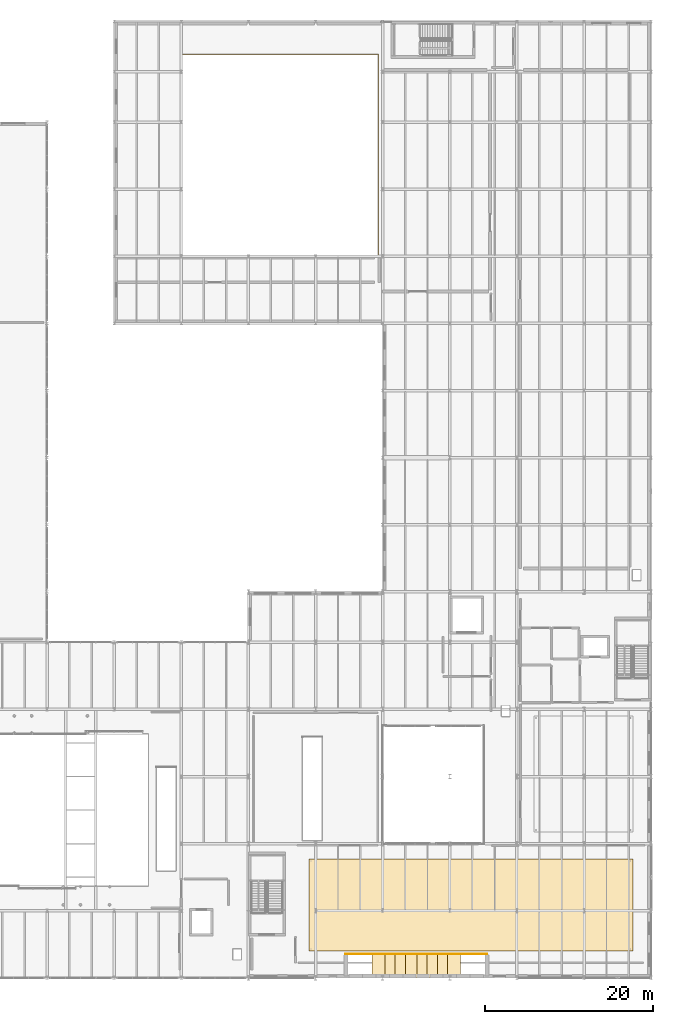
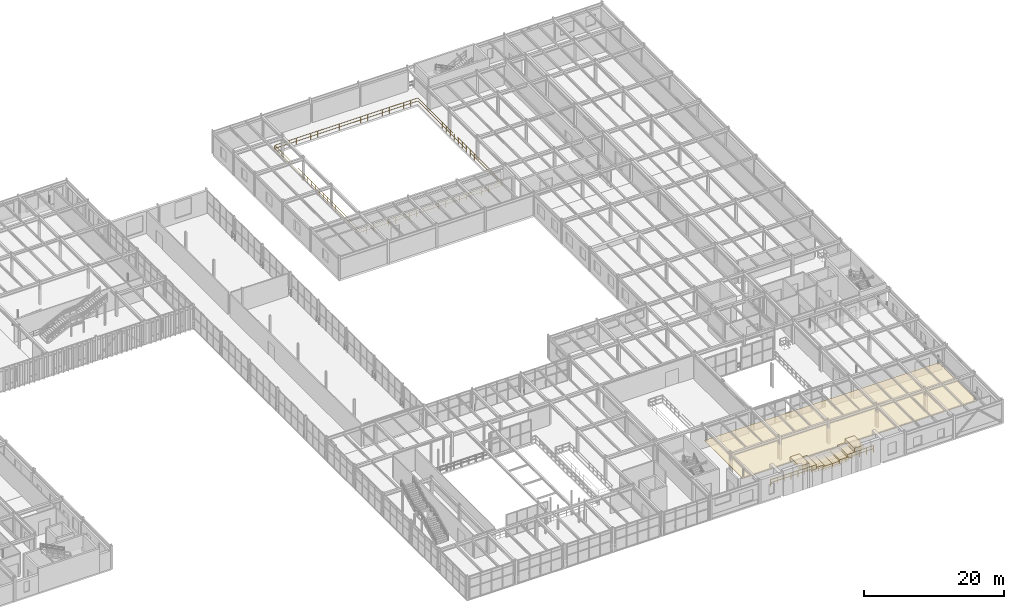
# One storey, part 119 of 122: 9 coverings, 2 railings.
"""IFC4 building model written with IfcOpenShell, lengths in metres."""

from ifc_helpers import new_model, si_unit, direction, frame, origin, origin_2d, place, context, subcontext, project, spatial, polyline, rectangle, circle, outline, extrude, material, layer, layer_set, type_object, element, save


model = new_model("IFC4")

# Units and contexts
model_context = context("Model", 3, precision=1e-05, world=origin(), true_north=direction((0.0, 1.0)))
body_context = subcontext(model_context, "Body", "Model", "MODEL_VIEW")
ifc_project = project(units=[si_unit("LENGTHUNIT", "METRE"), si_unit("AREAUNIT", "SQUARE_METRE"), si_unit("VOLUMEUNIT", "CUBIC_METRE"), si_unit("PLANEANGLEUNIT", "RADIAN"), si_unit("MASSUNIT", "GRAM", prefix="KILO")], contexts=[model_context])

# Site, building, storey
site_placement = place(None, origin())
site = spatial("IfcSite", under=ifc_project, at=site_placement, CompositionType="ELEMENT")
building_placement = place(site_placement, origin())
building = spatial("IfcBuilding", under=site, at=building_placement, Name="Sundkrona Museum", CompositionType="ELEMENT")
storey_placement = place(building_placement, frame((0.0, 0.0, 5.39990234375)))
storey = spatial("IfcBuildingStorey", under=building, at=storey_placement, Name="L01", CompositionType="ELEMENT", Elevation=5.39990234375)

# Coverings
ifc_material_1 = material(Name="Perforated Acoustic Gypsum and Mineral Wool Ceiling", Category="other")
ifc_layer_1 = layer(ifc_material_1, 0.0400390625)
ifc_layer_set_1 = layer_set([ifc_layer_1], Name="Perforated Acoustic Gypsum and Mineral Wool Ceiling")
covering_type_1 = type_object("IfcCoveringType", Name="COV-CEIL-AC", PredefinedType="CEILING", material=ifc_layer_set_1)
covering_placement = place(storey_placement, frame((0.0, 0.0, 2.550048828125)))
element("IfcCovering", 1, at=covering_placement, inside=storey, type_object=covering_type_1, Name="L01 Mineralogy and Geology Cabinet Acoustic Ceiling", PredefinedType="CEILING", context=body_context, shape_type="SweptSolid", body=[
    extrude(outline(polyline([(127.199951171875, 3.199951171875), (165.800048828125, 3.199951171875), (165.800048828125, 14.199951171875), (127.199951171875, 14.199951171875), (127.199951171875, 3.199951171875)])), origin(), (0.0, 0.0, 1.0), 0.0400390625),
])
ifc_material_2 = material(Name="Frost-Resistant Vitrified Stoneware Mosaic Cladding", Category="masonry")
ifc_layer_2 = layer(ifc_material_2, 0.044921875)
ifc_layer_set_2 = layer_set([ifc_layer_2], Name="Frost-Resistant Vitrified Stoneware Mosaic Cladding")
covering_type_2 = type_object("IfcCoveringType", Name="COV-CLD-MOS", PredefinedType="CLADDING", material=ifc_layer_set_2)
for number, where, z_axis, x_axis, name in (
    (2, (135.497314453125, 1.3798828125, 3.3095703125), (0.0, 0.0, 1.0), (1.0, 0.0, 0.0), "L01 Giant Round Window Deep Circular Reveal Barrel 24"),
    (3, (136.682373046875, 1.3798828125, 2.62548828125), (0.0, 0.0, 1.0), (1.0, 0.0, 0.0), "L01 Giant Round Window Deep Circular Reveal Barrel 25"),
    (4, (137.96826171875, 1.3798828125, 2.15771484375), (0.0, 0.0, 1.0), (1.0, 0.0, 0.0), "L01 Giant Round Window Deep Circular Reveal Barrel 26"),
    (5, (139.31591796875, 1.3798828125, 1.919921875), (0.0, 0.0, 1.0), (1.0, 0.0, 0.0), "L01 Giant Round Window Deep Circular Reveal Barrel 27"),
    (6, (140.68408203125, 1.3798828125, 1.919921875), (0.0, 0.0, 1.0), (1.0, 0.0, 0.0), "L01 Giant Round Window Deep Circular Reveal Barrel 28"),
    (7, (142.03173828125, 1.3798828125, 2.15771484375), (0.0, 0.0, 1.0), (1.0, 0.0, 0.0), "L01 Giant Round Window Deep Circular Reveal Barrel 29"),
    (8, (143.317626953125, 1.3798828125, 2.62548828125), (0.0, 0.0, 1.0), (1.0, 0.0, 0.0), "L01 Giant Round Window Deep Circular Reveal Barrel 30"),
    (9, (144.502685546875, 1.3798828125, 3.3095703125), (0.0, 0.0, 1.0), (1.0, 0.0, 0.0), "L01 Giant Round Window Deep Circular Reveal Barrel 31"),
):
    element("IfcCovering", number, at=place(storey_placement, frame(where, z_axis=z_axis, x_axis=x_axis)), inside=storey, type_object=covering_type_2, Name=name, PredefinedType="CLADDING", context=body_context, shape_type="SweptSolid", body=[
        extrude(rectangle(XDim=1.550048828125, YDim=2.739990234375, at=origin_2d()), origin(), (0.0, 0.0, 1.0), 0.719970703125),
    ])

# Railings
ifc_material_3 = material(Name="Painted Steel S355J2 and Laminated Glass Balustrade", Category="steel")
railing_type = type_object("IfcRailingType", Name="RL-GUARD-1100", PredefinedType="BALUSTRADE", material=ifc_material_3)
railing_1_placement = place(storey_placement, frame((135.4599609375, 85.93994140625, 0.0)))
element("IfcRailing", 10, at=railing_1_placement, inside=storey, type_object=railing_type, Name="L01 Edge Protection Balustrade 055", PredefinedType="BALUSTRADE", context=body_context, shape_type="SweptSolid", body=[
    extrude(circle(Radius=0.02392578125, at=origin_2d()), frame((0.0, 0.0, 1.09619140625), z_axis=(0.0, 1.0, 0.0), x_axis=(-1.0, 0.0, 0.0)), (0.0, 0.0, 1.0), 24.1201171875),
    extrude(circle(Radius=0.02392578125, at=origin_2d()), frame((0.0, 0.0, 0.56005859375), z_axis=(0.0, 1.0, 0.0), x_axis=(-1.0, 0.0, 0.0)), (0.0, 0.0, 1.0), 24.1201171875),
    extrude(circle(Radius=0.02392578125, at=origin_2d()), frame((0.0, 24.1201171875, 1.09619140625), z_axis=(-1.0, 0.0, 0.0), x_axis=(0.0, -1.0, 0.0)), (0.0, 0.0, 1.0), 23.52001953125),
    extrude(circle(Radius=0.02392578125, at=origin_2d()), frame((0.0, 24.1201171875, 0.56005859375), z_axis=(-1.0, 0.0, 0.0), x_axis=(0.0, -1.0, 0.0)), (0.0, 0.0, 1.0), 23.52001953125),
    extrude(circle(Radius=0.02392578125, at=origin_2d()), frame((-23.52001953125, 24.1201171875, 1.09619140625), z_axis=(0.0, -1.0, 0.0), x_axis=(1.0, 0.0, 0.0)), (0.0, 0.0, 1.0), 24.1201171875),
    extrude(circle(Radius=0.02392578125, at=origin_2d()), frame((-23.52001953125, 24.1201171875, 0.56005859375), z_axis=(0.0, -1.0, 0.0), x_axis=(1.0, 0.0, 0.0)), (0.0, 0.0, 1.0), 24.1201171875),
    extrude(circle(Radius=0.02392578125, at=origin_2d()), frame((-23.52001953125, 0.0, 1.09619140625), z_axis=(1.0, 0.0, 0.0), x_axis=(0.0, 1.0, 0.0)), (0.0, 0.0, 1.0), 23.52001953125),
    extrude(circle(Radius=0.02392578125, at=origin_2d()), frame((-23.52001953125, 0.0, 0.56005859375), z_axis=(1.0, 0.0, 0.0), x_axis=(0.0, 1.0, 0.0)), (0.0, 0.0, 1.0), 23.52001953125),
    extrude(circle(Radius=0.02099609375, at=origin_2d()), origin(), (0.0, 0.0, 1.0), 1.072021484375),
    extrude(circle(Radius=0.02099609375, at=origin_2d()), frame((0.0, 1.148681640625, 0.0)), (0.0, 0.0, 1.0), 1.072021484375),
    extrude(circle(Radius=0.02099609375, at=origin_2d()), frame((0.0, 2.297119140625, 0.0)), (0.0, 0.0, 1.0), 1.072021484375),
    extrude(circle(Radius=0.02099609375, at=origin_2d()), frame((0.0, 3.44580078125, 0.0)), (0.0, 0.0, 1.0), 1.072021484375),
    extrude(circle(Radius=0.02099609375, at=origin_2d()), frame((0.0, 4.59423828125, 0.0)), (0.0, 0.0, 1.0), 1.072021484375),
    extrude(circle(Radius=0.02099609375, at=origin_2d()), frame((0.0, 5.742919921875, 0.0)), (0.0, 0.0, 1.0), 1.072021484375),
    extrude(circle(Radius=0.02099609375, at=origin_2d()), frame((0.0, 6.891357421875, 0.0)), (0.0, 0.0, 1.0), 1.072021484375),
    extrude(circle(Radius=0.02099609375, at=origin_2d()), frame((0.0, 8.0400390625, 0.0)), (0.0, 0.0, 1.0), 1.072021484375),
    extrude(circle(Radius=0.02099609375, at=origin_2d()), frame((0.0, 9.188720703125, 0.0)), (0.0, 0.0, 1.0), 1.072021484375),
    extrude(circle(Radius=0.02099609375, at=origin_2d()), frame((0.0, 10.337158203125, 0.0)), (0.0, 0.0, 1.0), 1.072021484375),
    extrude(circle(Radius=0.02099609375, at=origin_2d()), frame((0.0, 11.48583984375, 0.0)), (0.0, 0.0, 1.0), 1.072021484375),
    extrude(circle(Radius=0.02099609375, at=origin_2d()), frame((0.0, 12.63427734375, 0.0)), (0.0, 0.0, 1.0), 1.072021484375),
    extrude(circle(Radius=0.02099609375, at=origin_2d()), frame((0.0, 13.782958984375, 0.0)), (0.0, 0.0, 1.0), 1.072021484375),
    extrude(circle(Radius=0.02099609375, at=origin_2d()), frame((0.0, 14.931396484375, 0.0)), (0.0, 0.0, 1.0), 1.072021484375),
    extrude(circle(Radius=0.02099609375, at=origin_2d()), frame((0.0, 16.080078125, 0.0)), (0.0, 0.0, 1.0), 1.072021484375),
    extrude(circle(Radius=0.02099609375, at=origin_2d()), frame((0.0, 17.228759765625, 0.0)), (0.0, 0.0, 1.0), 1.072021484375),
    extrude(circle(Radius=0.02099609375, at=origin_2d()), frame((0.0, 18.377197265625, 0.0)), (0.0, 0.0, 1.0), 1.072021484375),
    extrude(circle(Radius=0.02099609375, at=origin_2d()), frame((0.0, 19.52587890625, 0.0)), (0.0, 0.0, 1.0), 1.072021484375),
    extrude(circle(Radius=0.02099609375, at=origin_2d()), frame((0.0, 20.67431640625, 0.0)), (0.0, 0.0, 1.0), 1.072021484375),
    extrude(circle(Radius=0.02099609375, at=origin_2d()), frame((0.0, 21.822998046875, 0.0)), (0.0, 0.0, 1.0), 1.072021484375),
    extrude(circle(Radius=0.02099609375, at=origin_2d()), frame((0.0, 22.971435546875, 0.0)), (0.0, 0.0, 1.0), 1.072021484375),
    extrude(circle(Radius=0.02099609375, at=origin_2d()), frame((0.0, 24.1201171875, 0.0)), (0.0, 0.0, 1.0), 1.072021484375),
    extrude(circle(Radius=0.02099609375, at=origin_2d()), frame((-1.176025390625, 24.1201171875, 0.0)), (0.0, 0.0, 1.0), 1.072021484375),
    extrude(circle(Radius=0.02099609375, at=origin_2d()), frame((-2.35205078125, 24.1201171875, 0.0)), (0.0, 0.0, 1.0), 1.072021484375),
    extrude(circle(Radius=0.02099609375, at=origin_2d()), frame((-3.528076171875, 24.1201171875, 0.0)), (0.0, 0.0, 1.0), 1.072021484375),
    extrude(circle(Radius=0.02099609375, at=origin_2d()), frame((-4.7041015625, 24.1201171875, 0.0)), (0.0, 0.0, 1.0), 1.072021484375),
    extrude(circle(Radius=0.02099609375, at=origin_2d()), frame((-5.8798828125, 24.1201171875, 0.0)), (0.0, 0.0, 1.0), 1.072021484375),
    extrude(circle(Radius=0.02099609375, at=origin_2d()), frame((-7.055908203125, 24.1201171875, 0.0)), (0.0, 0.0, 1.0), 1.072021484375),
    extrude(circle(Radius=0.02099609375, at=origin_2d()), frame((-8.23193359375, 24.1201171875, 0.0)), (0.0, 0.0, 1.0), 1.072021484375),
    extrude(circle(Radius=0.02099609375, at=origin_2d()), frame((-9.407958984375, 24.1201171875, 0.0)), (0.0, 0.0, 1.0), 1.072021484375),
    extrude(circle(Radius=0.02099609375, at=origin_2d()), frame((-10.583984375, 24.1201171875, 0.0)), (0.0, 0.0, 1.0), 1.072021484375),
    extrude(circle(Radius=0.02099609375, at=origin_2d()), frame((-11.760009765625, 24.1201171875, 0.0)), (0.0, 0.0, 1.0), 1.072021484375),
    extrude(circle(Radius=0.02099609375, at=origin_2d()), frame((-12.93603515625, 24.1201171875, 0.0)), (0.0, 0.0, 1.0), 1.072021484375),
    extrude(circle(Radius=0.02099609375, at=origin_2d()), frame((-14.112060546875, 24.1201171875, 0.0)), (0.0, 0.0, 1.0), 1.072021484375),
    extrude(circle(Radius=0.02099609375, at=origin_2d()), frame((-15.2880859375, 24.1201171875, 0.0)), (0.0, 0.0, 1.0), 1.072021484375),
    extrude(circle(Radius=0.02099609375, at=origin_2d()), frame((-16.464111328125, 24.1201171875, 0.0)), (0.0, 0.0, 1.0), 1.072021484375),
    extrude(circle(Radius=0.02099609375, at=origin_2d()), frame((-17.64013671875, 24.1201171875, 0.0)), (0.0, 0.0, 1.0), 1.072021484375),
    extrude(circle(Radius=0.02099609375, at=origin_2d()), frame((-18.81591796875, 24.1201171875, 0.0)), (0.0, 0.0, 1.0), 1.072021484375),
    extrude(circle(Radius=0.02099609375, at=origin_2d()), frame((-19.991943359375, 24.1201171875, 0.0)), (0.0, 0.0, 1.0), 1.072021484375),
    extrude(circle(Radius=0.02099609375, at=origin_2d()), frame((-21.16796875, 24.1201171875, 0.0)), (0.0, 0.0, 1.0), 1.072021484375),
    extrude(circle(Radius=0.02099609375, at=origin_2d()), frame((-22.343994140625, 24.1201171875, 0.0)), (0.0, 0.0, 1.0), 1.072021484375),
    extrude(circle(Radius=0.02099609375, at=origin_2d()), frame((-23.52001953125, 24.1201171875, 0.0)), (0.0, 0.0, 1.0), 1.072021484375),
    extrude(circle(Radius=0.02099609375, at=origin_2d()), frame((-23.52001953125, 22.971435546875, 0.0)), (0.0, 0.0, 1.0), 1.072021484375),
    extrude(circle(Radius=0.02099609375, at=origin_2d()), frame((-23.52001953125, 21.822998046875, 0.0)), (0.0, 0.0, 1.0), 1.072021484375),
    extrude(circle(Radius=0.02099609375, at=origin_2d()), frame((-23.52001953125, 20.67431640625, 0.0)), (0.0, 0.0, 1.0), 1.072021484375),
    extrude(circle(Radius=0.02099609375, at=origin_2d()), frame((-23.52001953125, 19.52587890625, 0.0)), (0.0, 0.0, 1.0), 1.072021484375),
    extrude(circle(Radius=0.02099609375, at=origin_2d()), frame((-23.52001953125, 18.377197265625, 0.0)), (0.0, 0.0, 1.0), 1.072021484375),
    extrude(circle(Radius=0.02099609375, at=origin_2d()), frame((-23.52001953125, 17.228759765625, 0.0)), (0.0, 0.0, 1.0), 1.072021484375),
    extrude(circle(Radius=0.02099609375, at=origin_2d()), frame((-23.52001953125, 16.080078125, 0.0)), (0.0, 0.0, 1.0), 1.072021484375),
    extrude(circle(Radius=0.02099609375, at=origin_2d()), frame((-23.52001953125, 14.931396484375, 0.0)), (0.0, 0.0, 1.0), 1.072021484375),
    extrude(circle(Radius=0.02099609375, at=origin_2d()), frame((-23.52001953125, 13.782958984375, 0.0)), (0.0, 0.0, 1.0), 1.072021484375),
    extrude(circle(Radius=0.02099609375, at=origin_2d()), frame((-23.52001953125, 12.63427734375, 0.0)), (0.0, 0.0, 1.0), 1.072021484375),
    extrude(circle(Radius=0.02099609375, at=origin_2d()), frame((-23.52001953125, 11.48583984375, 0.0)), (0.0, 0.0, 1.0), 1.072021484375),
    extrude(circle(Radius=0.02099609375, at=origin_2d()), frame((-23.52001953125, 10.337158203125, 0.0)), (0.0, 0.0, 1.0), 1.072021484375),
    extrude(circle(Radius=0.02099609375, at=origin_2d()), frame((-23.52001953125, 9.188720703125, 0.0)), (0.0, 0.0, 1.0), 1.072021484375),
    extrude(circle(Radius=0.02099609375, at=origin_2d()), frame((-23.52001953125, 8.0400390625, 0.0)), (0.0, 0.0, 1.0), 1.072021484375),
    extrude(circle(Radius=0.02099609375, at=origin_2d()), frame((-23.52001953125, 6.891357421875, 0.0)), (0.0, 0.0, 1.0), 1.072021484375),
    extrude(circle(Radius=0.02099609375, at=origin_2d()), frame((-23.52001953125, 5.742919921875, 0.0)), (0.0, 0.0, 1.0), 1.072021484375),
    extrude(circle(Radius=0.02099609375, at=origin_2d()), frame((-23.52001953125, 4.59423828125, 0.0)), (0.0, 0.0, 1.0), 1.072021484375),
    extrude(circle(Radius=0.02099609375, at=origin_2d()), frame((-23.52001953125, 3.44580078125, 0.0)), (0.0, 0.0, 1.0), 1.072021484375),
    extrude(circle(Radius=0.02099609375, at=origin_2d()), frame((-23.52001953125, 2.297119140625, 0.0)), (0.0, 0.0, 1.0), 1.072021484375),
    extrude(circle(Radius=0.02099609375, at=origin_2d()), frame((-23.52001953125, 1.148681640625, 0.0)), (0.0, 0.0, 1.0), 1.072021484375),
    extrude(circle(Radius=0.02099609375, at=origin_2d()), frame((-23.52001953125, 0.0, 0.0)), (0.0, 0.0, 1.0), 1.072021484375),
    extrude(circle(Radius=0.02099609375, at=origin_2d()), frame((-22.343994140625, 0.0, 0.0)), (0.0, 0.0, 1.0), 1.072021484375),
    extrude(circle(Radius=0.02099609375, at=origin_2d()), frame((-21.16796875, 0.0, 0.0)), (0.0, 0.0, 1.0), 1.072021484375),
    extrude(circle(Radius=0.02099609375, at=origin_2d()), frame((-19.991943359375, 0.0, 0.0)), (0.0, 0.0, 1.0), 1.072021484375),
    extrude(circle(Radius=0.02099609375, at=origin_2d()), frame((-18.81591796875, 0.0, 0.0)), (0.0, 0.0, 1.0), 1.072021484375),
    extrude(circle(Radius=0.02099609375, at=origin_2d()), frame((-17.64013671875, 0.0, 0.0)), (0.0, 0.0, 1.0), 1.072021484375),
    extrude(circle(Radius=0.02099609375, at=origin_2d()), frame((-16.464111328125, 0.0, 0.0)), (0.0, 0.0, 1.0), 1.072021484375),
    extrude(circle(Radius=0.02099609375, at=origin_2d()), frame((-15.2880859375, 0.0, 0.0)), (0.0, 0.0, 1.0), 1.072021484375),
    extrude(circle(Radius=0.02099609375, at=origin_2d()), frame((-14.112060546875, 0.0, 0.0)), (0.0, 0.0, 1.0), 1.072021484375),
    extrude(circle(Radius=0.02099609375, at=origin_2d()), frame((-12.93603515625, 0.0, 0.0)), (0.0, 0.0, 1.0), 1.072021484375),
    extrude(circle(Radius=0.02099609375, at=origin_2d()), frame((-11.760009765625, 0.0, 0.0)), (0.0, 0.0, 1.0), 1.072021484375),
    extrude(circle(Radius=0.02099609375, at=origin_2d()), frame((-10.583984375, 0.0, 0.0)), (0.0, 0.0, 1.0), 1.072021484375),
    extrude(circle(Radius=0.02099609375, at=origin_2d()), frame((-9.407958984375, 0.0, 0.0)), (0.0, 0.0, 1.0), 1.072021484375),
    extrude(circle(Radius=0.02099609375, at=origin_2d()), frame((-8.23193359375, 0.0, 0.0)), (0.0, 0.0, 1.0), 1.072021484375),
    extrude(circle(Radius=0.02099609375, at=origin_2d()), frame((-7.055908203125, 0.0, 0.0)), (0.0, 0.0, 1.0), 1.072021484375),
    extrude(circle(Radius=0.02099609375, at=origin_2d()), frame((-5.8798828125, 0.0, 0.0)), (0.0, 0.0, 1.0), 1.072021484375),
    extrude(circle(Radius=0.02099609375, at=origin_2d()), frame((-4.7041015625, 0.0, 0.0)), (0.0, 0.0, 1.0), 1.072021484375),
    extrude(circle(Radius=0.02099609375, at=origin_2d()), frame((-3.528076171875, 0.0, 0.0)), (0.0, 0.0, 1.0), 1.072021484375),
    extrude(circle(Radius=0.02099609375, at=origin_2d()), frame((-2.35205078125, 0.0, 0.0)), (0.0, 0.0, 1.0), 1.072021484375),
    extrude(circle(Radius=0.02099609375, at=origin_2d()), frame((-1.176025390625, 0.0, 0.0)), (0.0, 0.0, 1.0), 1.072021484375),
])
railing_2_placement = place(storey_placement, frame((148.4599609375, 2.75, 0.0)))
element("IfcRailing", 11, at=railing_2_placement, inside=storey, type_object=railing_type, Name="L01 Edge Protection Balustrade 062", PredefinedType="BALUSTRADE", context=body_context, shape_type="SweptSolid", body=[
    extrude(circle(Radius=0.02392578125, at=origin_2d()), frame((0.0, 0.0, 1.09619140625), z_axis=(0.0, 1.0, 0.0), x_axis=(-1.0, 0.0, 0.0)), (0.0, 0.0, 1.0), 0.110107421875),
    extrude(circle(Radius=0.02392578125, at=origin_2d()), frame((0.0, 0.0, 0.56005859375), z_axis=(0.0, 1.0, 0.0), x_axis=(-1.0, 0.0, 0.0)), (0.0, 0.0, 1.0), 0.110107421875),
    extrude(circle(Radius=0.02392578125, at=origin_2d()), frame((0.0, 0.110107421875, 1.09619140625), z_axis=(-1.0, 0.0, 0.0), x_axis=(0.0, -1.0, 0.0)), (0.0, 0.0, 1.0), 16.919921875),
    extrude(circle(Radius=0.02392578125, at=origin_2d()), frame((0.0, 0.110107421875, 0.56005859375), z_axis=(-1.0, 0.0, 0.0), x_axis=(0.0, -1.0, 0.0)), (0.0, 0.0, 1.0), 16.919921875),
    extrude(circle(Radius=0.02392578125, at=origin_2d()), frame((-16.919921875, 0.110107421875, 1.09619140625), z_axis=(0.0, -1.0, 0.0), x_axis=(1.0, 0.0, 0.0)), (0.0, 0.0, 1.0), 0.110107421875),
    extrude(circle(Radius=0.02392578125, at=origin_2d()), frame((-16.919921875, 0.110107421875, 0.56005859375), z_axis=(0.0, -1.0, 0.0), x_axis=(1.0, 0.0, 0.0)), (0.0, 0.0, 1.0), 0.110107421875),
    extrude(circle(Radius=0.02099609375, at=origin_2d()), origin(), (0.0, 0.0, 1.0), 1.072021484375),
    extrude(circle(Radius=0.02099609375, at=origin_2d()), frame((0.0, 0.110107421875, 0.0)), (0.0, 0.0, 1.0), 1.072021484375),
    extrude(circle(Radius=0.02099609375, at=origin_2d()), frame((-1.1279296875, 0.110107421875, 0.0)), (0.0, 0.0, 1.0), 1.072021484375),
    extrude(circle(Radius=0.02099609375, at=origin_2d()), frame((-2.256103515625, 0.110107421875, 0.0)), (0.0, 0.0, 1.0), 1.072021484375),
    extrude(circle(Radius=0.02099609375, at=origin_2d()), frame((-3.384033203125, 0.110107421875, 0.0)), (0.0, 0.0, 1.0), 1.072021484375),
    extrude(circle(Radius=0.02099609375, at=origin_2d()), frame((-4.511962890625, 0.110107421875, 0.0)), (0.0, 0.0, 1.0), 1.072021484375),
    extrude(circle(Radius=0.02099609375, at=origin_2d()), frame((-5.639892578125, 0.110107421875, 0.0)), (0.0, 0.0, 1.0), 1.072021484375),
    extrude(circle(Radius=0.02099609375, at=origin_2d()), frame((-6.76806640625, 0.110107421875, 0.0)), (0.0, 0.0, 1.0), 1.072021484375),
    extrude(circle(Radius=0.02099609375, at=origin_2d()), frame((-7.89599609375, 0.110107421875, 0.0)), (0.0, 0.0, 1.0), 1.072021484375),
    extrude(circle(Radius=0.02099609375, at=origin_2d()), frame((-9.02392578125, 0.110107421875, 0.0)), (0.0, 0.0, 1.0), 1.072021484375),
    extrude(circle(Radius=0.02099609375, at=origin_2d()), frame((-10.15185546875, 0.110107421875, 0.0)), (0.0, 0.0, 1.0), 1.072021484375),
    extrude(circle(Radius=0.02099609375, at=origin_2d()), frame((-11.280029296875, 0.110107421875, 0.0)), (0.0, 0.0, 1.0), 1.072021484375),
    extrude(circle(Radius=0.02099609375, at=origin_2d()), frame((-12.407958984375, 0.110107421875, 0.0)), (0.0, 0.0, 1.0), 1.072021484375),
    extrude(circle(Radius=0.02099609375, at=origin_2d()), frame((-13.535888671875, 0.110107421875, 0.0)), (0.0, 0.0, 1.0), 1.072021484375),
    extrude(circle(Radius=0.02099609375, at=origin_2d()), frame((-14.663818359375, 0.110107421875, 0.0)), (0.0, 0.0, 1.0), 1.072021484375),
    extrude(circle(Radius=0.02099609375, at=origin_2d()), frame((-15.7919921875, 0.110107421875, 0.0)), (0.0, 0.0, 1.0), 1.072021484375),
    extrude(circle(Radius=0.02099609375, at=origin_2d()), frame((-16.919921875, 0.110107421875, 0.0)), (0.0, 0.0, 1.0), 1.072021484375),
    extrude(circle(Radius=0.02099609375, at=origin_2d()), frame((-16.919921875, 0.0, 0.0)), (0.0, 0.0, 1.0), 1.072021484375),
])

save(model, "model.ifc")
